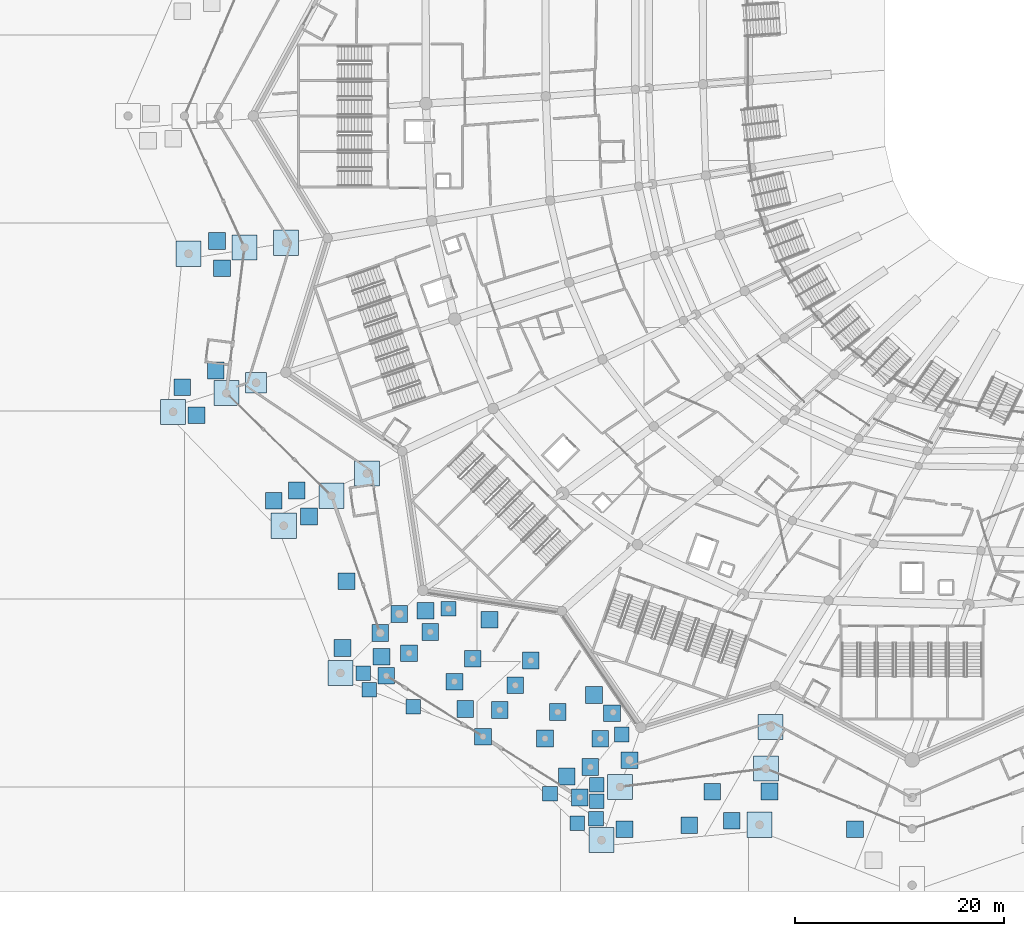
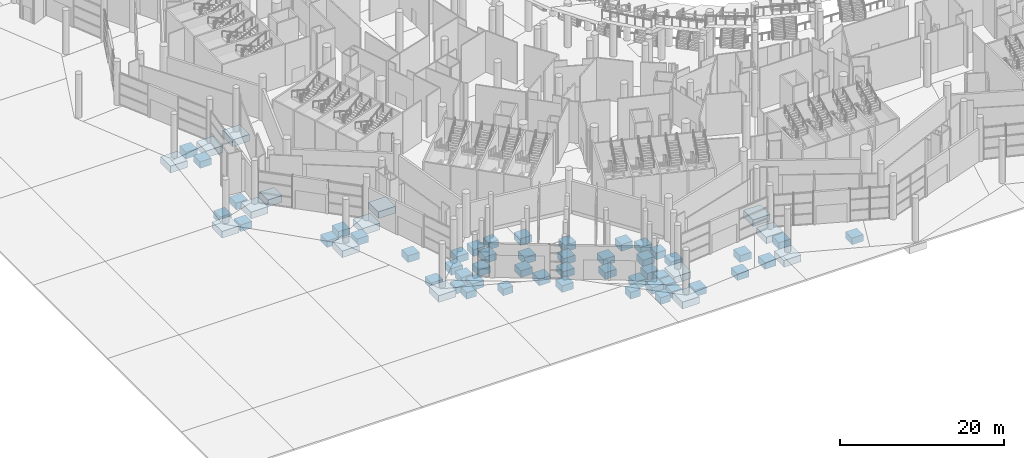
# One storey, part 1 of 255: 65 footings.
"""IFC4 building model written with IfcOpenShell, lengths in metres."""

from ifc_helpers import new_model, si_unit, direction, frame, origin, place, context, subcontext, project, spatial, polyline, outline, extrude, material, type_object, element, save


model = new_model("IFC4")

# Units and contexts
model_context = context("Model", 3, precision=1e-05, world=origin(), true_north=direction((0.0, 1.0)))
body_context = subcontext(model_context, "Body", "Model", "MODEL_VIEW")
ifc_project = project(units=[si_unit("LENGTHUNIT", "METRE"), si_unit("AREAUNIT", "SQUARE_METRE"), si_unit("VOLUMEUNIT", "CUBIC_METRE"), si_unit("PLANEANGLEUNIT", "RADIAN"), si_unit("MASSUNIT", "GRAM", prefix="KILO")], contexts=[model_context])

# Site, building, storey
site_placement = place(None, origin())
site = spatial("IfcSite", under=ifc_project, at=site_placement, CompositionType="ELEMENT")
building_placement = place(site_placement, origin())
building = spatial("IfcBuilding", under=site, at=building_placement, Name="Meseta Stadium", CompositionType="ELEMENT")
storey_placement = place(building_placement, origin())
storey = spatial("IfcBuildingStorey", under=building, at=storey_placement, Name="L00", CompositionType="ELEMENT", Elevation=0.0)

# Footings
ifc_material_1 = material(Name="Concrete C30/37", Category="concrete")
footing_type_1 = type_object("IfcFootingType", Name="Gate pad footing 1400", PredefinedType="PAD_FOOTING", material=ifc_material_1)
footing_1_placement = place(storey_placement, frame((0.0, 0.0, -1.300048828125)))
element("IfcFooting", 1, at=footing_1_placement, inside=storey, type_object=footing_type_1, Name="Gate 6 pad footing", PredefinedType="PAD_FOOTING", context=body_context, shape_type="SweptSolid", body=[
    extrude(outline(polyline([(-82.01953125, -91.638916015625), (-82.01953125, -90.239013671875), (-83.41943359375, -90.239013671875), (-83.41943359375, -91.638916015625), (-82.01953125, -91.638916015625)])), origin(), (0.0, 0.0, 1.0), 1.0),
])
footing_2_placement = place(storey_placement, frame((0.0, 0.0, -1.300048828125)))
element("IfcFooting", 2, at=footing_2_placement, inside=storey, type_object=footing_type_1, Name="Paving pad footing", PredefinedType="PAD_FOOTING", context=body_context, shape_type="SweptSolid", body=[
    extrude(outline(polyline([(-85.39697265625, -100.9970703125), (-85.39697265625, -99.596923828125), (-86.797119140625, -99.596923828125), (-86.797119140625, -100.9970703125), (-85.39697265625, -100.9970703125)])), origin(), (0.0, 0.0, 1.0), 1.0),
])
footing_3_placement = place(storey_placement, frame((0.0, 0.0, -1.300048828125)))
element("IfcFooting", 3, at=footing_3_placement, inside=storey, type_object=footing_type_1, Name="Paving pad footing", PredefinedType="PAD_FOOTING", context=body_context, shape_type="SweptSolid", body=[
    extrude(outline(polyline([(-90.197021484375, -97.797119140625), (-90.197021484375, -96.39697265625), (-91.596923828125, -96.39697265625), (-91.596923828125, -97.797119140625), (-90.197021484375, -97.797119140625)])), origin(), (0.0, 0.0, 1.0), 1.0),
])
footing_4_placement = place(storey_placement, frame((0.0, 0.0, -1.300048828125)))
element("IfcFooting", 4, at=footing_4_placement, inside=storey, type_object=footing_type_1, Name="Paving pad footing", PredefinedType="PAD_FOOTING", context=body_context, shape_type="SweptSolid", body=[
    extrude(outline(polyline([(-89.596923828125, -99.39697265625), (-89.596923828125, -97.9970703125), (-90.9970703125, -97.9970703125), (-90.9970703125, -99.39697265625), (-89.596923828125, -99.39697265625)])), origin(), (0.0, 0.0, 1.0), 1.0),
])
footing_5_placement = place(storey_placement, frame((0.0, 0.0, -1.300048828125)))
element("IfcFooting", 5, at=footing_5_placement, inside=storey, type_object=footing_type_1, Name="Paving pad footing", PredefinedType="PAD_FOOTING", context=body_context, shape_type="SweptSolid", body=[
    extrude(outline(polyline([(-72.299072265625, -109.35302734375), (-72.299072265625, -107.952880859375), (-73.698974609375, -107.952880859375), (-73.698974609375, -109.35302734375), (-72.299072265625, -109.35302734375)])), origin(), (0.0, 0.0, 1.0), 1.0),
])
footing_6_placement = place(storey_placement, frame((0.0, 0.0, -1.300048828125)))
element("IfcFooting", 6, at=footing_6_placement, inside=storey, type_object=footing_type_1, Name="Paving pad footing", PredefinedType="PAD_FOOTING", context=body_context, shape_type="SweptSolid", body=[
    extrude(outline(polyline([(-67.89892578125, -111.7529296875), (-67.89892578125, -110.35302734375), (-69.299072265625, -110.35302734375), (-69.299072265625, -111.7529296875), (-67.89892578125, -111.7529296875)])), origin(), (0.0, 0.0, 1.0), 1.0),
])
footing_7_placement = place(storey_placement, frame((0.0, 0.0, -1.300048828125)))
element("IfcFooting", 7, at=footing_7_placement, inside=storey, type_object=footing_type_1, Name="Paving pad footing", PredefinedType="PAD_FOOTING", context=body_context, shape_type="SweptSolid", body=[
    extrude(outline(polyline([(-69.698974609375, -112.153076171875), (-69.698974609375, -110.7529296875), (-71.09912109375, -110.7529296875), (-71.09912109375, -112.153076171875), (-69.698974609375, -112.153076171875)])), origin(), (0.0, 0.0, 1.0), 1.0),
])
footing_8_placement = place(storey_placement, frame((0.0, 0.0, -1.300048828125)))
element("IfcFooting", 8, at=footing_8_placement, inside=storey, type_object=footing_type_1, Name="Paving pad footing", PredefinedType="PAD_FOOTING", context=body_context, shape_type="SweptSolid", body=[
    extrude(outline(polyline([(-65.427001953125, -103.675048828125), (-65.427001953125, -102.27490234375), (-66.826904296875, -102.27490234375), (-66.826904296875, -103.675048828125), (-65.427001953125, -103.675048828125)])), origin(), (0.0, 0.0, 1.0), 1.0),
])
footing_9_placement = place(storey_placement, frame((0.0, 0.0, -1.300048828125)))
element("IfcFooting", 9, at=footing_9_placement, inside=storey, type_object=footing_type_1, Name="Paving pad footing", PredefinedType="PAD_FOOTING", context=body_context, shape_type="SweptSolid", body=[
    extrude(outline(polyline([(-67.826904296875, -110.074951171875), (-67.826904296875, -108.675048828125), (-69.22705078125, -108.675048828125), (-69.22705078125, -110.074951171875), (-67.826904296875, -110.074951171875)])), origin(), (0.0, 0.0, 1.0), 1.0),
])
footing_10_placement = place(storey_placement, frame((0.0, 0.0, -1.300048828125)))
element("IfcFooting", 10, at=footing_10_placement, inside=storey, type_object=footing_type_1, Name="Paving pad footing", PredefinedType="PAD_FOOTING", context=body_context, shape_type="SweptSolid", body=[
    extrude(outline(polyline([(-67.826904296875, -108.47509765625), (-67.826904296875, -107.074951171875), (-69.22705078125, -107.074951171875), (-69.22705078125, -108.47509765625), (-67.826904296875, -108.47509765625)])), origin(), (0.0, 0.0, 1.0), 1.0),
])
ifc_material_2 = material(Name="Concrete C30/37", Category="concrete")
footing_type_2 = type_object("IfcFootingType", Name="Gate pad footing 1600", PredefinedType="PAD_FOOTING", material=ifc_material_2)
footing_11_placement = place(storey_placement, frame((0.0, 0.0, -1.300048828125)))
element("IfcFooting", 11, at=footing_11_placement, inside=storey, type_object=footing_type_2, Name="Gate 6 pad footing", PredefinedType="PAD_FOOTING", context=body_context, shape_type="SweptSolid", body=[
    extrude(outline(polyline([(-74.0361328125, -96.6923828125), (-74.0361328125, -95.092529296875), (-75.635986328125, -95.092529296875), (-75.635986328125, -96.6923828125), (-74.0361328125, -96.6923828125)])), origin(), (0.0, 0.0, 1.0), 1.0),
])
footing_12_placement = place(storey_placement, frame((0.0, 0.0, -1.300048828125)))
element("IfcFooting", 12, at=footing_12_placement, inside=storey, type_object=footing_type_2, Name="Gate 6 pad footing", PredefinedType="PAD_FOOTING", context=body_context, shape_type="SweptSolid", body=[
    extrude(outline(polyline([(-66.264892578125, -101.721923828125), (-66.264892578125, -100.121826171875), (-67.864990234375, -100.121826171875), (-67.864990234375, -101.721923828125), (-66.264892578125, -101.721923828125)])), origin(), (0.0, 0.0, 1.0), 1.0),
])
footing_13_placement = place(storey_placement, frame((0.0, 0.0, -1.300048828125)))
element("IfcFooting", 13, at=footing_13_placement, inside=storey, type_object=footing_type_2, Name="Gate 6 pad footing", PredefinedType="PAD_FOOTING", context=body_context, shape_type="SweptSolid", body=[
    extrude(outline(polyline([(-83.66259765625, -93.950439453125), (-83.66259765625, -92.3505859375), (-85.2626953125, -92.3505859375), (-85.2626953125, -93.950439453125), (-83.66259765625, -93.950439453125)])), origin(), (0.0, 0.0, 1.0), 1.0),
])
footing_14_placement = place(storey_placement, frame((0.0, 0.0, -1.300048828125)))
element("IfcFooting", 14, at=footing_14_placement, inside=storey, type_object=footing_type_2, Name="Gate 6 pad footing", PredefinedType="PAD_FOOTING", context=body_context, shape_type="SweptSolid", body=[
    extrude(outline(polyline([(-79.59423828125, -96.5068359375), (-79.59423828125, -94.906982421875), (-81.1943359375, -94.906982421875), (-81.1943359375, -96.5068359375), (-79.59423828125, -96.5068359375)])), origin(), (0.0, 0.0, 1.0), 1.0),
])
footing_15_placement = place(storey_placement, frame((0.0, 0.0, -1.300048828125)))
element("IfcFooting", 15, at=footing_15_placement, inside=storey, type_object=footing_type_2, Name="Gate 6 pad footing", PredefinedType="PAD_FOOTING", context=body_context, shape_type="SweptSolid", body=[
    extrude(outline(polyline([(-75.52587890625, -99.063232421875), (-75.52587890625, -97.46337890625), (-77.125732421875, -97.46337890625), (-77.125732421875, -99.063232421875), (-75.52587890625, -99.063232421875)])), origin(), (0.0, 0.0, 1.0), 1.0),
])
footing_16_placement = place(storey_placement, frame((0.0, 0.0, -1.300048828125)))
element("IfcFooting", 16, at=footing_16_placement, inside=storey, type_object=footing_type_2, Name="Gate 6 pad footing", PredefinedType="PAD_FOOTING", context=body_context, shape_type="SweptSolid", body=[
    extrude(outline(polyline([(-71.45751953125, -101.61962890625), (-71.45751953125, -100.019775390625), (-73.057373046875, -100.019775390625), (-73.057373046875, -101.61962890625), (-71.45751953125, -101.61962890625)])), origin(), (0.0, 0.0, 1.0), 1.0),
])
footing_17_placement = place(storey_placement, frame((0.0, 0.0, -1.300048828125)))
element("IfcFooting", 17, at=footing_17_placement, inside=storey, type_object=footing_type_2, Name="Gate 6 pad footing", PredefinedType="PAD_FOOTING", context=body_context, shape_type="SweptSolid", body=[
    extrude(outline(polyline([(-67.388916015625, -104.176025390625), (-67.388916015625, -102.575927734375), (-68.989013671875, -102.575927734375), (-68.989013671875, -104.176025390625), (-67.388916015625, -104.176025390625)])), origin(), (0.0, 0.0, 1.0), 1.0),
])
footing_18_placement = place(storey_placement, frame((0.0, 0.0, -1.300048828125)))
element("IfcFooting", 18, at=footing_18_placement, inside=storey, type_object=footing_type_2, Name="Gate 6 pad footing", PredefinedType="PAD_FOOTING", context=body_context, shape_type="SweptSolid", body=[
    extrude(outline(polyline([(-85.693603515625, -95.981201171875), (-85.693603515625, -94.38134765625), (-87.293701171875, -94.38134765625), (-87.293701171875, -95.981201171875), (-85.693603515625, -95.981201171875)])), origin(), (0.0, 0.0, 1.0), 1.0),
])
footing_19_placement = place(storey_placement, frame((0.0, 0.0, -1.300048828125)))
element("IfcFooting", 19, at=footing_19_placement, inside=storey, type_object=footing_type_2, Name="Gate 6 pad footing", PredefinedType="PAD_FOOTING", context=body_context, shape_type="SweptSolid", body=[
    extrude(outline(polyline([(-81.3544921875, -98.707763671875), (-81.3544921875, -97.107666015625), (-82.95458984375, -97.107666015625), (-82.95458984375, -98.707763671875), (-81.3544921875, -98.707763671875)])), origin(), (0.0, 0.0, 1.0), 1.0),
])
footing_20_placement = place(storey_placement, frame((0.0, 0.0, -1.300048828125)))
element("IfcFooting", 20, at=footing_20_placement, inside=storey, type_object=footing_type_2, Name="Gate 6 pad footing", PredefinedType="PAD_FOOTING", context=body_context, shape_type="SweptSolid", body=[
    extrude(outline(polyline([(-77.015380859375, -101.43408203125), (-77.015380859375, -99.833984375), (-78.615478515625, -99.833984375), (-78.615478515625, -101.43408203125), (-77.015380859375, -101.43408203125)])), origin(), (0.0, 0.0, 1.0), 1.0),
])
footing_21_placement = place(storey_placement, frame((0.0, 0.0, -1.300048828125)))
element("IfcFooting", 21, at=footing_21_placement, inside=storey, type_object=footing_type_2, Name="Gate 6 pad footing", PredefinedType="PAD_FOOTING", context=body_context, shape_type="SweptSolid", body=[
    extrude(outline(polyline([(-72.676513671875, -104.160400390625), (-72.676513671875, -102.560546875), (-74.276611328125, -102.560546875), (-74.276611328125, -104.160400390625), (-72.676513671875, -104.160400390625)])), origin(), (0.0, 0.0, 1.0), 1.0),
])
footing_22_placement = place(storey_placement, frame((0.0, 0.0, -1.300048828125)))
element("IfcFooting", 22, at=footing_22_placement, inside=storey, type_object=footing_type_2, Name="Gate 6 pad footing", PredefinedType="PAD_FOOTING", context=body_context, shape_type="SweptSolid", body=[
    extrude(outline(polyline([(-68.33740234375, -106.886962890625), (-68.33740234375, -105.286865234375), (-69.9375, -105.286865234375), (-69.9375, -106.886962890625), (-68.33740234375, -106.886962890625)])), origin(), (0.0, 0.0, 1.0), 1.0),
])
footing_23_placement = place(storey_placement, frame((0.0, 0.0, -1.300048828125)))
element("IfcFooting", 23, at=footing_23_placement, inside=storey, type_object=footing_type_2, Name="Gate 6 pad footing", PredefinedType="PAD_FOOTING", context=body_context, shape_type="SweptSolid", body=[
    extrude(outline(polyline([(-87.869384765625, -98.1572265625), (-87.869384765625, -96.55712890625), (-89.469482421875, -96.55712890625), (-89.469482421875, -98.1572265625), (-87.869384765625, -98.1572265625)])), origin(), (0.0, 0.0, 1.0), 1.0),
])
footing_24_placement = place(storey_placement, frame((0.0, 0.0, -1.300048828125)))
element("IfcFooting", 24, at=footing_24_placement, inside=storey, type_object=footing_type_2, Name="Gate 6 pad footing", PredefinedType="PAD_FOOTING", context=body_context, shape_type="SweptSolid", body=[
    extrude(outline(polyline([(-78.611572265625, -103.974365234375), (-78.611572265625, -102.374267578125), (-80.211669921875, -102.374267578125), (-80.211669921875, -103.974365234375), (-78.611572265625, -103.974365234375)])), origin(), (0.0, 0.0, 1.0), 1.0),
])
footing_25_placement = place(storey_placement, frame((0.0, 0.0, -1.300048828125)))
element("IfcFooting", 25, at=footing_25_placement, inside=storey, type_object=footing_type_2, Name="Gate 6 pad footing", PredefinedType="PAD_FOOTING", context=body_context, shape_type="SweptSolid", body=[
    extrude(outline(polyline([(-69.353759765625, -109.79150390625), (-69.353759765625, -108.19140625), (-70.953857421875, -108.19140625), (-70.953857421875, -109.79150390625), (-69.353759765625, -109.79150390625)])), origin(), (0.0, 0.0, 1.0), 1.0),
])
ifc_material_3 = material(Name="Concrete C30/37", Category="concrete")
footing_type_3 = type_object("IfcFootingType", Name="Ring pad footing 1600", PredefinedType="PAD_FOOTING", material=ifc_material_3)
footing_26_placement = place(storey_placement, frame((0.0, 0.0, -1.300048828125)))
element("IfcFooting", 26, at=footing_26_placement, inside=storey, type_object=footing_type_3, Name="Ring pad footing F40M", PredefinedType="PAD_FOOTING", context=body_context, shape_type="SweptSolid", body=[
    extrude(outline(polyline([(-86.62646484375, -92.226318359375), (-86.62646484375, -90.62646484375), (-88.226318359375, -90.62646484375), (-88.226318359375, -92.226318359375), (-86.62646484375, -92.226318359375)])), origin(), (0.0, 0.0, 1.0), 1.0),
])
footing_27_placement = place(storey_placement, frame((0.0, 0.0, -1.300048828125)))
element("IfcFooting", 27, at=footing_27_placement, inside=storey, type_object=footing_type_3, Name="Ring pad footing F40Q", PredefinedType="PAD_FOOTING", context=body_context, shape_type="SweptSolid", body=[
    extrude(outline(polyline([(-88.454833984375, -94.0546875), (-88.454833984375, -92.454833984375), (-90.0546875, -92.454833984375), (-90.0546875, -94.0546875), (-88.454833984375, -94.0546875)])), origin(), (0.0, 0.0, 1.0), 1.0),
])
footing_28_placement = place(storey_placement, frame((0.0, 0.0, -1.300048828125)))
element("IfcFooting", 28, at=footing_28_placement, inside=storey, type_object=footing_type_3, Name="Ring pad footing F42M", PredefinedType="PAD_FOOTING", context=body_context, shape_type="SweptSolid", body=[
    extrude(outline(polyline([(-64.593505859375, -106.2236328125), (-64.593505859375, -104.623779296875), (-66.193603515625, -104.623779296875), (-66.193603515625, -106.2236328125), (-64.593505859375, -106.2236328125)])), origin(), (0.0, 0.0, 1.0), 1.0),
])
footing_29_placement = place(storey_placement, frame((0.0, 0.0, -1.300048828125)))
element("IfcFooting", 29, at=footing_29_placement, inside=storey, type_object=footing_type_3, Name="Paving pad footing", PredefinedType="PAD_FOOTING", context=body_context, shape_type="SweptSolid", body=[
    extrude(outline(polyline([(-80.327880859375, -101.3349609375), (-80.327880859375, -99.735107421875), (-81.927978515625, -99.735107421875), (-81.927978515625, -101.3349609375), (-80.327880859375, -101.3349609375)])), origin(), (0.0, 0.0, 1.0), 1.0),
])
footing_30_placement = place(storey_placement, frame((0.0, 0.0, -1.300048828125)))
element("IfcFooting", 30, at=footing_30_placement, inside=storey, type_object=footing_type_3, Name="Paving pad footing", PredefinedType="PAD_FOOTING", context=body_context, shape_type="SweptSolid", body=[
    extrude(outline(polyline([(-84.1279296875, -91.93505859375), (-84.1279296875, -90.3349609375), (-85.72802734375, -90.3349609375), (-85.72802734375, -91.93505859375), (-84.1279296875, -91.93505859375)])), origin(), (0.0, 0.0, 1.0), 1.0),
])
footing_31_placement = place(storey_placement, frame((0.0, 0.0, -1.300048828125)))
element("IfcFooting", 31, at=footing_31_placement, inside=storey, type_object=footing_type_3, Name="Paving pad footing", PredefinedType="PAD_FOOTING", context=body_context, shape_type="SweptSolid", body=[
    extrude(outline(polyline([(-88.327880859375, -96.3349609375), (-88.327880859375, -94.735107421875), (-89.927978515625, -94.735107421875), (-89.927978515625, -96.3349609375), (-88.327880859375, -96.3349609375)])), origin(), (0.0, 0.0, 1.0), 1.0),
])
footing_32_placement = place(storey_placement, frame((0.0, 0.0, -1.300048828125)))
element("IfcFooting", 32, at=footing_32_placement, inside=storey, type_object=footing_type_3, Name="Paving pad footing", PredefinedType="PAD_FOOTING", context=body_context, shape_type="SweptSolid", body=[
    extrude(outline(polyline([(-78.0, -92.7880859375), (-78.0, -91.18798828125), (-79.60009765625, -91.18798828125), (-79.60009765625, -92.7880859375), (-78.0, -92.7880859375)])), origin(), (0.0, 0.0, 1.0), 1.0),
])
footing_33_placement = place(storey_placement, frame((0.0, 0.0, -1.300048828125)))
element("IfcFooting", 33, at=footing_33_placement, inside=storey, type_object=footing_type_3, Name="Paving pad footing", PredefinedType="PAD_FOOTING", context=body_context, shape_type="SweptSolid", body=[
    extrude(outline(polyline([(-70.60009765625, -107.7880859375), (-70.60009765625, -106.18798828125), (-72.199951171875, -106.18798828125), (-72.199951171875, -107.7880859375), (-70.60009765625, -107.7880859375)])), origin(), (0.0, 0.0, 1.0), 1.0),
])
footing_34_placement = place(storey_placement, frame((0.0, 0.0, -1.300048828125)))
element("IfcFooting", 34, at=footing_34_placement, inside=storey, type_object=footing_type_3, Name="Paving pad footing", PredefinedType="PAD_FOOTING", context=body_context, shape_type="SweptSolid", body=[
    extrude(outline(polyline([(-68.0, -99.988037109375), (-68.0, -98.387939453125), (-69.60009765625, -98.387939453125), (-69.60009765625, -99.988037109375), (-68.0, -99.988037109375)])), origin(), (0.0, 0.0, 1.0), 1.0),
])
footing_35_placement = place(storey_placement, frame((0.0, 0.0, -1.300048828125)))
element("IfcFooting", 35, at=footing_35_placement, inside=storey, type_object=footing_type_3, Name="Paving pad footing", PredefinedType="PAD_FOOTING", context=body_context, shape_type="SweptSolid", body=[
    extrude(outline(polyline([(-104.0810546875, -56.52587890625), (-104.0810546875, -54.926025390625), (-105.680908203125, -54.926025390625), (-105.680908203125, -56.52587890625), (-104.0810546875, -56.52587890625)])), origin(), (0.0, 0.0, 1.0), 1.0),
])
footing_36_placement = place(storey_placement, frame((0.0, 0.0, -1.300048828125)))
element("IfcFooting", 36, at=footing_36_placement, inside=storey, type_object=footing_type_3, Name="Paving pad footing", PredefinedType="PAD_FOOTING", context=body_context, shape_type="SweptSolid", body=[
    extrude(outline(polyline([(-107.40087890625, -70.527099609375), (-107.40087890625, -68.927001953125), (-109.0009765625, -68.927001953125), (-109.0009765625, -70.527099609375), (-107.40087890625, -70.527099609375)])), origin(), (0.0, 0.0, 1.0), 1.0),
])
footing_37_placement = place(storey_placement, frame((0.0, 0.0, -1.300048828125)))
element("IfcFooting", 37, at=footing_37_placement, inside=storey, type_object=footing_type_3, Name="Paving pad footing", PredefinedType="PAD_FOOTING", context=body_context, shape_type="SweptSolid", body=[
    extrude(outline(polyline([(-103.60107421875, -59.126953125), (-103.60107421875, -57.527099609375), (-105.200927734375, -57.527099609375), (-105.200927734375, -59.126953125), (-103.60107421875, -59.126953125)])), origin(), (0.0, 0.0, 1.0), 1.0),
])
footing_38_placement = place(storey_placement, frame((0.0, 0.0, -1.300048828125)))
element("IfcFooting", 38, at=footing_38_placement, inside=storey, type_object=footing_type_3, Name="Paving pad footing", PredefinedType="PAD_FOOTING", context=body_context, shape_type="SweptSolid", body=[
    extrude(outline(polyline([(-104.200927734375, -68.927001953125), (-104.200927734375, -67.326904296875), (-105.801025390625, -67.326904296875), (-105.801025390625, -68.927001953125), (-104.200927734375, -68.927001953125)])), origin(), (0.0, 0.0, 1.0), 1.0),
])
footing_39_placement = place(storey_placement, frame((0.0, 0.0, -1.300048828125)))
element("IfcFooting", 39, at=footing_39_placement, inside=storey, type_object=footing_type_3, Name="Paving pad footing", PredefinedType="PAD_FOOTING", context=body_context, shape_type="SweptSolid", body=[
    extrude(outline(polyline([(-106.052978515625, -73.200927734375), (-106.052978515625, -71.60107421875), (-107.653076171875, -71.60107421875), (-107.653076171875, -73.200927734375), (-106.052978515625, -73.200927734375)])), origin(), (0.0, 0.0, 1.0), 1.0),
])
footing_40_placement = place(storey_placement, frame((0.0, 0.0, -1.300048828125)))
element("IfcFooting", 40, at=footing_40_placement, inside=storey, type_object=footing_type_3, Name="Paving pad footing", PredefinedType="PAD_FOOTING", context=body_context, shape_type="SweptSolid", body=[
    extrude(outline(polyline([(-96.452880859375, -80.40087890625), (-96.452880859375, -78.801025390625), (-98.052978515625, -78.801025390625), (-98.052978515625, -80.40087890625), (-96.452880859375, -80.40087890625)])), origin(), (0.0, 0.0, 1.0), 1.0),
])
footing_41_placement = place(storey_placement, frame((0.0, 0.0, -1.300048828125)))
element("IfcFooting", 41, at=footing_41_placement, inside=storey, type_object=footing_type_3, Name="Paving pad footing", PredefinedType="PAD_FOOTING", context=body_context, shape_type="SweptSolid", body=[
    extrude(outline(polyline([(-98.653076171875, -81.40087890625), (-98.653076171875, -79.801025390625), (-100.2529296875, -79.801025390625), (-100.2529296875, -81.40087890625), (-98.653076171875, -81.40087890625)])), origin(), (0.0, 0.0, 1.0), 1.0),
])
footing_42_placement = place(storey_placement, frame((0.0, 0.0, -1.300048828125)))
element("IfcFooting", 42, at=footing_42_placement, inside=storey, type_object=footing_type_3, Name="Paving pad footing", PredefinedType="PAD_FOOTING", context=body_context, shape_type="SweptSolid", body=[
    extrude(outline(polyline([(-92.076904296875, -95.4970703125), (-92.076904296875, -93.89697265625), (-93.677001953125, -93.89697265625), (-93.677001953125, -95.4970703125), (-92.076904296875, -95.4970703125)])), origin(), (0.0, 0.0, 1.0), 1.0),
])
footing_43_placement = place(storey_placement, frame((0.0, 0.0, -1.300048828125)))
element("IfcFooting", 43, at=footing_43_placement, inside=storey, type_object=footing_type_3, Name="Paving pad footing", PredefinedType="PAD_FOOTING", context=body_context, shape_type="SweptSolid", body=[
    extrude(outline(polyline([(-95.277099609375, -82.89697265625), (-95.277099609375, -81.297119140625), (-96.876953125, -81.297119140625), (-96.876953125, -82.89697265625), (-95.277099609375, -82.89697265625)])), origin(), (0.0, 0.0, 1.0), 1.0),
])
footing_44_placement = place(storey_placement, frame((0.0, 0.0, -1.300048828125)))
element("IfcFooting", 44, at=footing_44_placement, inside=storey, type_object=footing_type_3, Name="Paving pad footing", PredefinedType="PAD_FOOTING", context=body_context, shape_type="SweptSolid", body=[
    extrude(outline(polyline([(-91.677001953125, -89.096923828125), (-91.677001953125, -87.4970703125), (-93.277099609375, -87.4970703125), (-93.277099609375, -89.096923828125), (-91.677001953125, -89.096923828125)])), origin(), (0.0, 0.0, 1.0), 1.0),
])
footing_45_placement = place(storey_placement, frame((0.0, 0.0, -1.300048828125)))
element("IfcFooting", 45, at=footing_45_placement, inside=storey, type_object=footing_type_3, Name="Paving pad footing", PredefinedType="PAD_FOOTING", context=body_context, shape_type="SweptSolid", body=[
    extrude(outline(polyline([(-56.673095703125, -109.2529296875), (-56.673095703125, -107.653076171875), (-58.27294921875, -107.653076171875), (-58.27294921875, -109.2529296875), (-56.673095703125, -109.2529296875)])), origin(), (0.0, 0.0, 1.0), 1.0),
])
footing_46_placement = place(storey_placement, frame((0.0, 0.0, -1.300048828125)))
element("IfcFooting", 46, at=footing_46_placement, inside=storey, type_object=footing_type_3, Name="Paving pad footing", PredefinedType="PAD_FOOTING", context=body_context, shape_type="SweptSolid", body=[
    extrude(outline(polyline([(-65.072998046875, -112.85302734375), (-65.072998046875, -111.2529296875), (-66.673095703125, -111.2529296875), (-66.673095703125, -112.85302734375), (-65.072998046875, -112.85302734375)])), origin(), (0.0, 0.0, 1.0), 1.0),
])
footing_47_placement = place(storey_placement, frame((0.0, 0.0, -1.300048828125)))
element("IfcFooting", 47, at=footing_47_placement, inside=storey, type_object=footing_type_3, Name="Paving pad footing", PredefinedType="PAD_FOOTING", context=body_context, shape_type="SweptSolid", body=[
    extrude(outline(polyline([(-58.873046875, -112.452880859375), (-58.873046875, -110.85302734375), (-60.472900390625, -110.85302734375), (-60.472900390625, -112.452880859375), (-58.873046875, -112.452880859375)])), origin(), (0.0, 0.0, 1.0), 1.0),
])
footing_48_placement = place(storey_placement, frame((0.0, 0.0, -1.300048828125)))
element("IfcFooting", 48, at=footing_48_placement, inside=storey, type_object=footing_type_3, Name="Paving pad footing", PredefinedType="PAD_FOOTING", context=body_context, shape_type="SweptSolid", body=[
    extrude(outline(polyline([(-54.794921875, -112.032958984375), (-54.794921875, -110.43310546875), (-56.39501953125, -110.43310546875), (-56.39501953125, -112.032958984375), (-54.794921875, -112.032958984375)])), origin(), (0.0, 0.0, 1.0), 1.0),
])
footing_49_placement = place(storey_placement, frame((0.0, 0.0, -1.300048828125)))
element("IfcFooting", 49, at=footing_49_placement, inside=storey, type_object=footing_type_3, Name="Paving pad footing", PredefinedType="PAD_FOOTING", context=body_context, shape_type="SweptSolid", body=[
    extrude(outline(polyline([(-42.9951171875, -112.8330078125), (-42.9951171875, -111.23291015625), (-44.594970703125, -111.23291015625), (-44.594970703125, -112.8330078125), (-42.9951171875, -112.8330078125)])), origin(), (0.0, 0.0, 1.0), 1.0),
])
footing_50_placement = place(storey_placement, frame((0.0, 0.0, -1.300048828125)))
element("IfcFooting", 50, at=footing_50_placement, inside=storey, type_object=footing_type_3, Name="Paving pad footing", PredefinedType="PAD_FOOTING", context=body_context, shape_type="SweptSolid", body=[
    extrude(outline(polyline([(-51.195068359375, -109.23291015625), (-51.195068359375, -107.633056640625), (-52.794921875, -107.633056640625), (-52.794921875, -109.23291015625), (-51.195068359375, -109.23291015625)])), origin(), (0.0, 0.0, 1.0), 1.0),
])
ifc_material_4 = material(Name="Concrete C30/37", Category="concrete")
footing_type_4 = type_object("IfcFootingType", Name="Ring pad footing 2000", PredefinedType="PAD_FOOTING", material=ifc_material_4)
footing_51_placement = place(storey_placement, frame((0.0, 0.0, -1.300048828125)))
element("IfcFooting", 51, at=footing_51_placement, inside=storey, type_object=footing_type_4, Name="Ring pad footing F38M", PredefinedType="PAD_FOOTING", context=body_context, shape_type="SweptSolid", body=[
    extrude(outline(polyline([(-100.140380859375, -70.29443359375), (-100.140380859375, -68.29443359375), (-102.140380859375, -68.29443359375), (-102.140380859375, -70.29443359375), (-100.140380859375, -70.29443359375)])), origin(), (0.0, 0.0, 1.0), 1.0),
])
ifc_material_5 = material(Name="Concrete C30/37", Category="concrete")
footing_type_5 = type_object("IfcFootingType", Name="Ring pad footing 2400", PredefinedType="PAD_FOOTING", material=ifc_material_5)
footing_52_placement = place(storey_placement, frame((0.0, 0.0, -1.300048828125)))
element("IfcFooting", 52, at=footing_52_placement, inside=storey, type_object=footing_type_5, Name="Ring pad footing F37M", PredefinedType="PAD_FOOTING", context=body_context, shape_type="SweptSolid", body=[
    extrude(outline(polyline([(-97.0693359375, -57.08935546875), (-97.0693359375, -54.689208984375), (-99.46923828125, -54.689208984375), (-99.46923828125, -57.08935546875), (-97.0693359375, -57.08935546875)])), origin(), (0.0, 0.0, 1.0), 1.0),
])
footing_53_placement = place(storey_placement, frame((0.0, 0.0, -1.300048828125)))
element("IfcFooting", 53, at=footing_53_placement, inside=storey, type_object=footing_type_5, Name="Ring pad footing F37Q", PredefinedType="PAD_FOOTING", context=body_context, shape_type="SweptSolid", body=[
    extrude(outline(polyline([(-101.044189453125, -57.537109375), (-101.044189453125, -55.13720703125), (-103.444091796875, -55.13720703125), (-103.444091796875, -57.537109375), (-101.044189453125, -57.537109375)])), origin(), (0.0, 0.0, 1.0), 1.0),
])
footing_54_placement = place(storey_placement, frame((0.0, 0.0, -1.300048828125)))
element("IfcFooting", 54, at=footing_54_placement, inside=storey, type_object=footing_type_5, Name="Ring pad footing F37O", PredefinedType="PAD_FOOTING", context=body_context, shape_type="SweptSolid", body=[
    extrude(outline(polyline([(-106.41015625, -58.141845703125), (-106.41015625, -55.74169921875), (-108.810302734375, -55.74169921875), (-108.810302734375, -58.141845703125), (-106.41015625, -58.141845703125)])), origin(), (0.0, 0.0, 1.0), 1.0),
])
footing_55_placement = place(storey_placement, frame((0.0, 0.0, -1.300048828125)))
element("IfcFooting", 55, at=footing_55_placement, inside=storey, type_object=footing_type_5, Name="Ring pad footing F38Q", PredefinedType="PAD_FOOTING", context=body_context, shape_type="SweptSolid", body=[
    extrude(outline(polyline([(-102.789794921875, -71.49169921875), (-102.789794921875, -69.091552734375), (-105.18994140625, -69.091552734375), (-105.18994140625, -71.49169921875), (-102.789794921875, -71.49169921875)])), origin(), (0.0, 0.0, 1.0), 1.0),
])
footing_56_placement = place(storey_placement, frame((0.0, 0.0, -1.300048828125)))
element("IfcFooting", 56, at=footing_56_placement, inside=storey, type_object=footing_type_5, Name="Ring pad footing F38O", PredefinedType="PAD_FOOTING", context=body_context, shape_type="SweptSolid", body=[
    extrude(outline(polyline([(-107.886962890625, -73.275146484375), (-107.886962890625, -70.875), (-110.286865234375, -70.875), (-110.286865234375, -73.275146484375), (-107.886962890625, -73.275146484375)])), origin(), (0.0, 0.0, 1.0), 1.0),
])
footing_57_placement = place(storey_placement, frame((0.0, 0.0, -1.300048828125)))
element("IfcFooting", 57, at=footing_57_placement, inside=storey, type_object=footing_type_5, Name="Ring pad footing F39M", PredefinedType="PAD_FOOTING", context=body_context, shape_type="SweptSolid", body=[
    extrude(outline(polyline([(-89.337646484375, -79.184814453125), (-89.337646484375, -76.784912109375), (-91.73779296875, -76.784912109375), (-91.73779296875, -79.184814453125), (-89.337646484375, -79.184814453125)])), origin(), (0.0, 0.0, 1.0), 1.0),
])
footing_58_placement = place(storey_placement, frame((0.0, 0.0, -1.300048828125)))
element("IfcFooting", 58, at=footing_58_placement, inside=storey, type_object=footing_type_5, Name="Ring pad footing F39Q", PredefinedType="PAD_FOOTING", context=body_context, shape_type="SweptSolid", body=[
    extrude(outline(polyline([(-92.724609375, -81.31298828125), (-92.724609375, -78.9130859375), (-95.12451171875, -78.9130859375), (-95.12451171875, -81.31298828125), (-92.724609375, -81.31298828125)])), origin(), (0.0, 0.0, 1.0), 1.0),
])
footing_59_placement = place(storey_placement, frame((0.0, 0.0, -1.300048828125)))
element("IfcFooting", 59, at=footing_59_placement, inside=storey, type_object=footing_type_5, Name="Ring pad footing F39O", PredefinedType="PAD_FOOTING", context=body_context, shape_type="SweptSolid", body=[
    extrude(outline(polyline([(-97.296875, -84.18603515625), (-97.296875, -81.785888671875), (-99.697021484375, -81.785888671875), (-99.697021484375, -84.18603515625), (-97.296875, -84.18603515625)])), origin(), (0.0, 0.0, 1.0), 1.0),
])
footing_60_placement = place(storey_placement, frame((0.0, 0.0, -1.300048828125)))
element("IfcFooting", 60, at=footing_60_placement, inside=storey, type_object=footing_type_5, Name="Ring pad footing F40O", PredefinedType="PAD_FOOTING", context=body_context, shape_type="SweptSolid", body=[
    extrude(outline(polyline([(-91.873291015625, -98.273193359375), (-91.873291015625, -95.873291015625), (-94.273193359375, -95.873291015625), (-94.273193359375, -98.273193359375), (-91.873291015625, -98.273193359375)])), origin(), (0.0, 0.0, 1.0), 1.0),
])
footing_61_placement = place(storey_placement, frame((0.0, 0.0, -1.300048828125)))
element("IfcFooting", 61, at=footing_61_placement, inside=storey, type_object=footing_type_5, Name="Ring pad footing F42Q", PredefinedType="PAD_FOOTING", context=body_context, shape_type="SweptSolid", body=[
    extrude(outline(polyline([(-65.091552734375, -109.18994140625), (-65.091552734375, -106.789794921875), (-67.49169921875, -106.789794921875), (-67.49169921875, -109.18994140625), (-65.091552734375, -109.18994140625)])), origin(), (0.0, 0.0, 1.0), 1.0),
])
footing_62_placement = place(storey_placement, frame((0.0, 0.0, -1.300048828125)))
element("IfcFooting", 62, at=footing_62_placement, inside=storey, type_object=footing_type_5, Name="Ring pad footing F42O", PredefinedType="PAD_FOOTING", context=body_context, shape_type="SweptSolid", body=[
    extrude(outline(polyline([(-66.875, -114.286865234375), (-66.875, -111.886962890625), (-69.275146484375, -111.886962890625), (-69.275146484375, -114.286865234375), (-66.875, -114.286865234375)])), origin(), (0.0, 0.0, 1.0), 1.0),
])
footing_63_placement = place(storey_placement, frame((0.0, 0.0, -1.300048828125)))
element("IfcFooting", 63, at=footing_63_placement, inside=storey, type_object=footing_type_5, Name="Ring pad footing F43M", PredefinedType="PAD_FOOTING", context=body_context, shape_type="SweptSolid", body=[
    extrude(outline(polyline([(-50.689208984375, -103.46923828125), (-50.689208984375, -101.0693359375), (-53.08935546875, -101.0693359375), (-53.08935546875, -103.46923828125), (-50.689208984375, -103.46923828125)])), origin(), (0.0, 0.0, 1.0), 1.0),
])
footing_64_placement = place(storey_placement, frame((0.0, 0.0, -1.300048828125)))
element("IfcFooting", 64, at=footing_64_placement, inside=storey, type_object=footing_type_5, Name="Ring pad footing F43Q", PredefinedType="PAD_FOOTING", context=body_context, shape_type="SweptSolid", body=[
    extrude(outline(polyline([(-51.13720703125, -107.444091796875), (-51.13720703125, -105.044189453125), (-53.537109375, -105.044189453125), (-53.537109375, -107.444091796875), (-51.13720703125, -107.444091796875)])), origin(), (0.0, 0.0, 1.0), 1.0),
])
footing_65_placement = place(storey_placement, frame((0.0, 0.0, -1.300048828125)))
element("IfcFooting", 65, at=footing_65_placement, inside=storey, type_object=footing_type_5, Name="Ring pad footing F43O", PredefinedType="PAD_FOOTING", context=body_context, shape_type="SweptSolid", body=[
    extrude(outline(polyline([(-51.74169921875, -112.810302734375), (-51.74169921875, -110.41015625), (-54.141845703125, -110.41015625), (-54.141845703125, -112.810302734375), (-51.74169921875, -112.810302734375)])), origin(), (0.0, 0.0, 1.0), 1.0),
])

save(model, "model.ifc")
